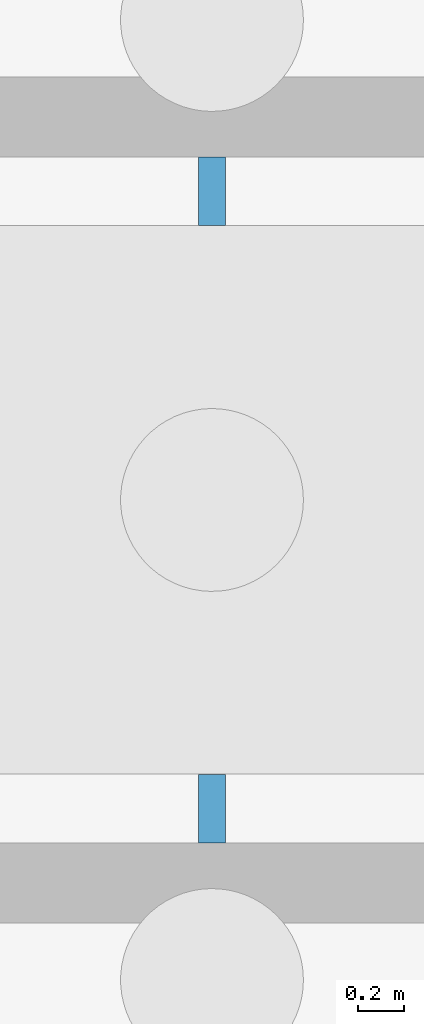
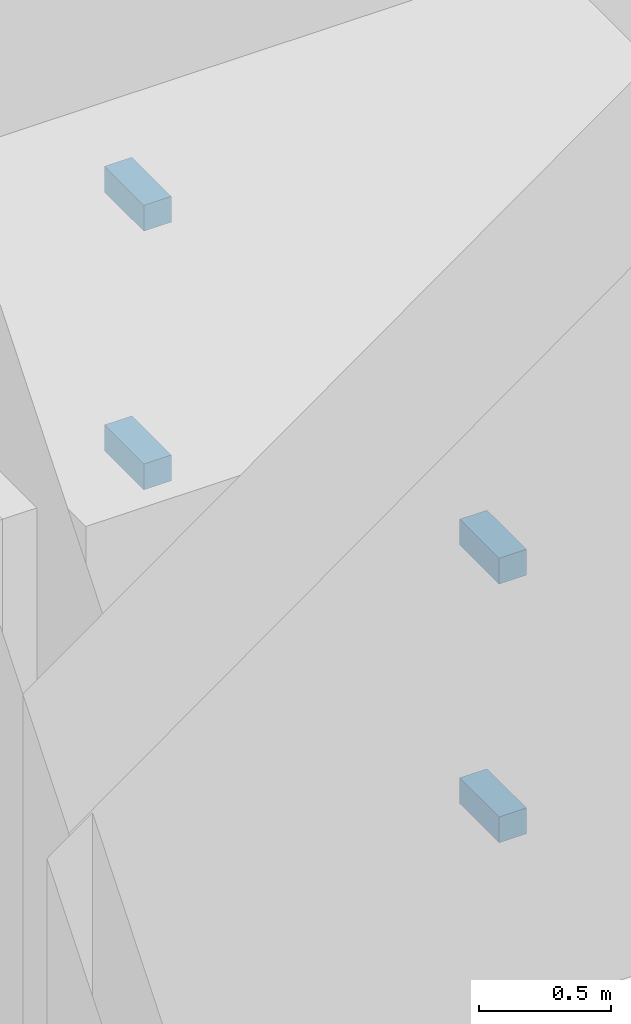
# One storey, part 17 of 33: 4 discrete accessories.
"""IFC4 building model written with IfcOpenShell, lengths in metres."""

from ifc_helpers import new_model, si_unit, direction, frame, origin, origin_2d, place, context, subcontext, project, spatial, rectangle, extrude, element, save


model = new_model("IFC4")

# Units and contexts
model_context = context("Model", 3, precision=1e-05, world=origin(), true_north=direction((0.0, 1.0)))
body_context = subcontext(model_context, "Body", "Model", "MODEL_VIEW")
ifc_project = project(units=[si_unit("LENGTHUNIT", "METRE"), si_unit("AREAUNIT", "SQUARE_METRE"), si_unit("VOLUMEUNIT", "CUBIC_METRE"), si_unit("PLANEANGLEUNIT", "RADIAN"), si_unit("MASSUNIT", "GRAM", prefix="KILO")], contexts=[model_context])

# Site, building, storey
site_placement = place(None, origin())
site = spatial("IfcSite", under=ifc_project, at=site_placement, CompositionType="ELEMENT")
building_placement = place(site_placement, origin())
building = spatial("IfcBuilding", under=site, at=building_placement, Name="Nzadi Deep Aquarium and Research Tower", CompositionType="ELEMENT")
storey_placement = place(building_placement, frame((0.0, 0.0, -5.5)))
storey = spatial("IfcBuildingStorey", under=building, at=storey_placement, Name="B1", CompositionType="ELEMENT", Elevation=-5.5)

# Discrete accessories
for number, where, z_axis, x_axis, name in (
    (1, (54.75, 107.199951171875, 0.5400390625), (0.0, 0.0, 1.0), (1.0, 0.0, 0.0), "Guide rail bracket GL2"),
    (2, (54.75, 107.199951171875, 1.739990234375), (0.0, 0.0, 1.0), (1.0, 0.0, 0.0), "Guide rail bracket GL2"),
    (3, (54.75, 109.89990234375, 0.5400390625), (0.0, 0.0, 1.0), (1.0, 0.0, 0.0), "Guide rail bracket GL2"),
    (4, (54.75, 109.89990234375, 1.739990234375), (0.0, 0.0, 1.0), (1.0, 0.0, 0.0), "Guide rail bracket GL2"),
):
    element("IfcDiscreteAccessory", number, at=place(storey_placement, frame(where, z_axis=z_axis, x_axis=x_axis)), inside=storey, Name=name, PredefinedType="BRACKET", context=body_context, shape_type="SweptSolid", body=[
        extrude(rectangle(XDim=0.1201171875, YDim=0.300048828125, at=origin_2d()), origin(), (0.0, 0.0, 1.0), 0.1201171875),
    ])

save(model, "model.ifc")
